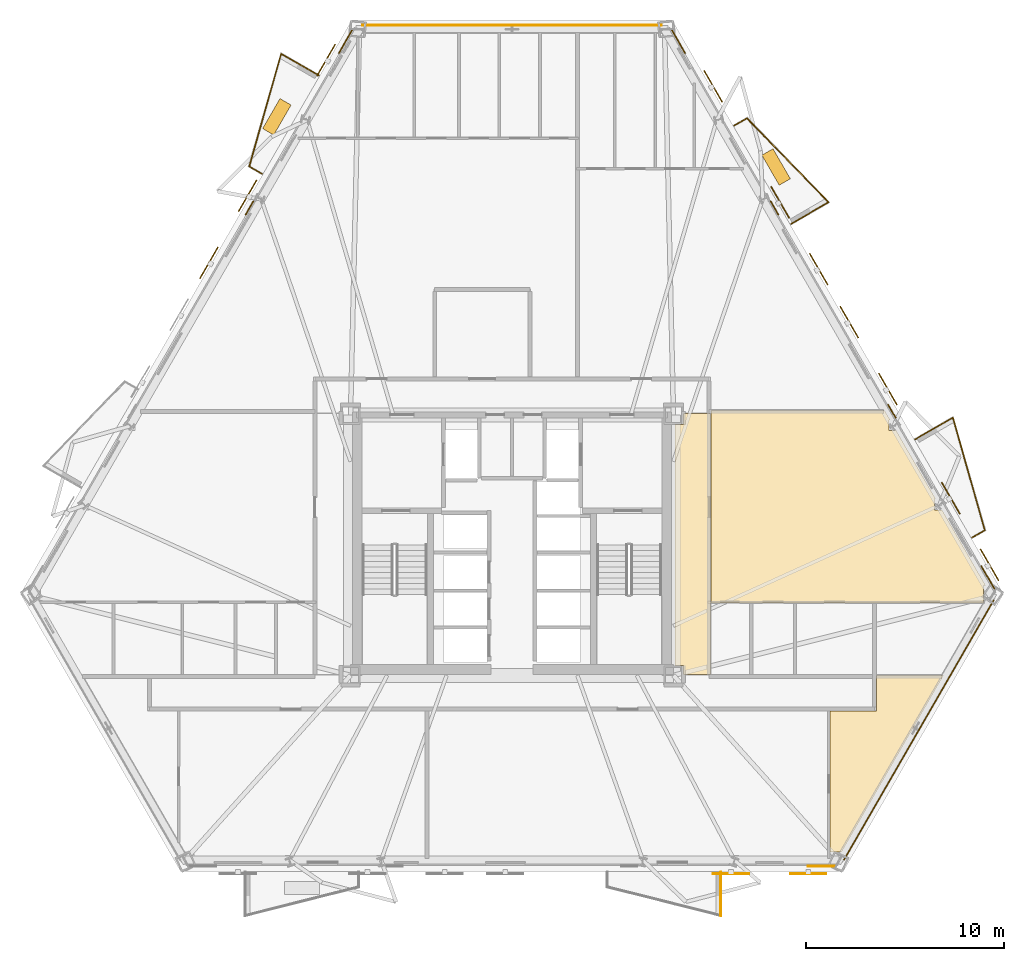
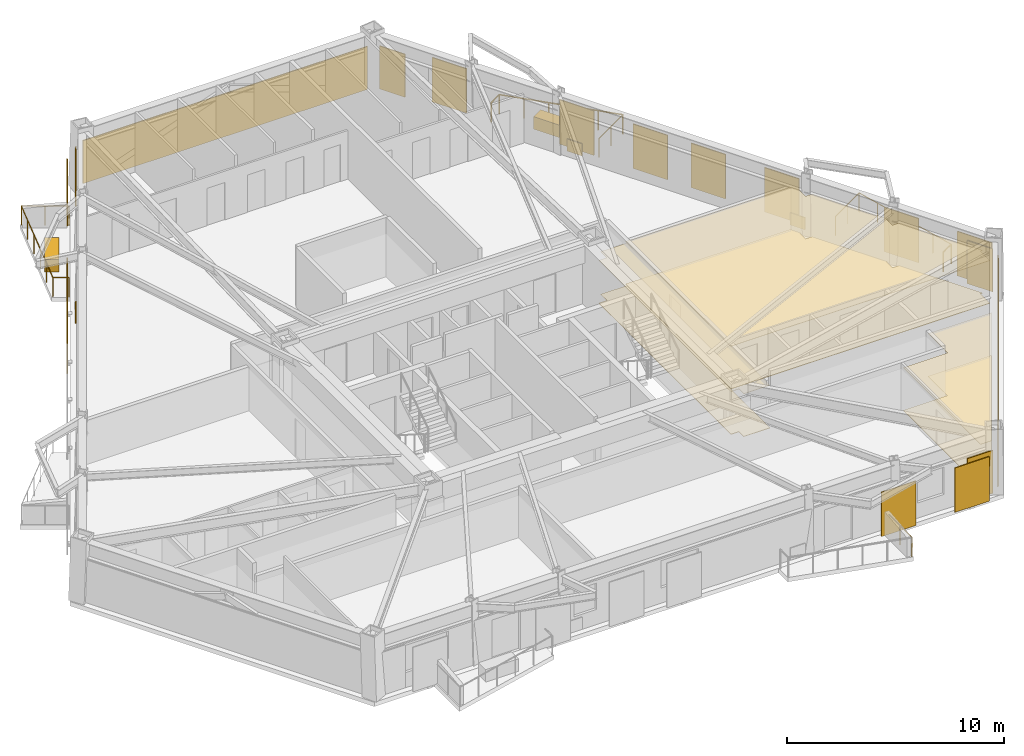
# One storey, part 12 of 12: 17 coverings, 12 shading devices, 10 railings.
"""IFC4 building model written with IfcOpenShell, lengths in metres."""

from ifc_helpers import new_model, si_unit, direction, frame, origin, origin_2d, place, context, subcontext, project, spatial, polyline, rectangle, circle, outline, extrude, material, layer, layer_set, type_object, element, save


model = new_model("IFC4")

# Units and contexts
model_context = context("Model", 3, precision=1e-05, world=origin(), true_north=direction((0.0, 1.0)))
body_context = subcontext(model_context, "Body", "Model", "MODEL_VIEW")
ifc_project = project(units=[si_unit("LENGTHUNIT", "METRE"), si_unit("AREAUNIT", "SQUARE_METRE"), si_unit("VOLUMEUNIT", "CUBIC_METRE"), si_unit("PLANEANGLEUNIT", "RADIAN"), si_unit("MASSUNIT", "GRAM", prefix="KILO")], contexts=[model_context])

# Site, building, storey
site_placement = place(None, origin())
site = spatial("IfcSite", under=ifc_project, at=site_placement, CompositionType="ELEMENT")
building_placement = place(site_placement, origin())
building = spatial("IfcBuilding", under=site, at=building_placement, Name="Oramaril Tower", CompositionType="ELEMENT")
storey_placement = place(building_placement, frame((0.0, 0.0, 34.5)))
storey = spatial("IfcBuildingStorey", under=building, at=storey_placement, Name="L08", CompositionType="ELEMENT", Elevation=34.5)

# Coverings
ifc_material_1 = material(Name="Mineral Fibre Acoustic Ceiling")
ifc_layer_1 = layer(ifc_material_1, 0.02001953125)
ifc_layer_set_1 = layer_set([ifc_layer_1], Name="CVT-CEIL")
covering_type_1 = type_object("IfcCoveringType", Name="CVT-CEIL", PredefinedType="CEILING", material=ifc_layer_set_1)
covering_1_placement = place(storey_placement, frame((0.0, 0.0, 2.39990234375)))
element("IfcCovering", 1, at=covering_1_placement, inside=storey, type_object=covering_type_1, Name="L08 Acoustic Suspended Ceiling 4", PredefinedType="CEILING", context=body_context, shape_type="SweptSolid", body=[
    extrude(outline(polyline([(47.530029296875, 11.050048828125), (46.14501953125, 11.050048828125), (46.14501953125, 11.4951171875), (45.719970703125, 11.4951171875), (45.719970703125, 23.655029296875), (46.14501953125, 23.655029296875), (46.14501953125, 24.219970703125), (47.530029296875, 24.219970703125), (47.530029296875, 11.050048828125)])), origin(), (0.0, 0.0, 1.0), 0.02001953125),
])
covering_2_placement = place(storey_placement, frame((0.0, 0.0, 2.39990234375)))
element("IfcCovering", 2, at=covering_2_placement, inside=storey, type_object=covering_type_1, Name="L08 Acoustic Suspended Ceiling 9", PredefinedType="CEILING", context=body_context, shape_type="SweptSolid", body=[
    extrude(outline(polyline([(59.27685546875, 10.991943359375), (54.139404296875, 2.09375), (53.545166015625, 2.09375), (53.545166015625, 9.199951171875), (55.8798828125, 9.199951171875), (55.882080078125, 9.2001953125), (55.8837890625, 9.200439453125), (55.8857421875, 9.200927734375), (55.8876953125, 9.201416015625), (55.889404296875, 9.202392578125), (55.89111328125, 9.203369140625), (55.892578125, 9.20458984375), (55.89404296875, 9.205810546875), (55.8955078125, 9.207275390625), (55.896484375, 9.208984375), (55.897705078125, 9.210693359375), (55.8984375, 9.21240234375), (55.899169921875, 9.214111328125), (55.899658203125, 9.216064453125), (55.89990234375, 9.218017578125), (55.89990234375, 9.219970703125), (55.89990234375, 10.991943359375), (59.27685546875, 10.991943359375)])), origin(), (0.0, 0.0, 1.0), 0.02001953125),
])
covering_3_placement = place(storey_placement, frame((0.0, 0.0, 2.39990234375)))
element("IfcCovering", 3, at=covering_3_placement, inside=storey, type_object=covering_type_1, Name="L08 Acoustic Suspended Ceiling 16", PredefinedType="CEILING", context=body_context, shape_type="SweptSolid", body=[
    extrude(outline(polyline([(56.577880859375, 23.8994140625), (56.522705078125, 23.8994140625), (56.522705078125, 23.3564453125), (56.891357421875, 23.3564453125), (58.8828125, 19.907470703125), (58.834228515625, 19.907470703125), (58.834228515625, 19.352783203125), (59.202880859375, 19.352783203125), (61.410888671875, 15.5283203125), (61.29296875, 15.5283203125), (61.29296875, 14.651611328125), (47.550048828125, 14.651611328125), (47.550048828125, 24.219970703125), (47.5498046875, 24.221923828125), (47.549560546875, 24.223876953125), (47.549072265625, 24.225830078125), (47.548583984375, 24.227783203125), (47.547607421875, 24.2294921875), (47.54736328125, 24.22998046875), (47.547607421875, 24.230712890625), (47.548583984375, 24.232421875), (47.549072265625, 24.234130859375), (47.549560546875, 24.236083984375), (47.5498046875, 24.238037109375), (47.550048828125, 24.239990234375), (47.550048828125, 24.362060546875), (56.310791015625, 24.362060546875), (56.577880859375, 23.8994140625)])), origin(), (0.0, 0.0, 1.0), 0.02001953125),
])
ifc_material_2 = material(Name="Warm Cream Limestone", Category="masonry")
ifc_layer_2 = layer(ifc_material_2, 0.050048828125)
ifc_layer_set_2 = layer_set([ifc_layer_2], Name="CVT-CLD")
covering_type_2 = type_object("IfcCoveringType", Name="CVT-CLD", PredefinedType="CLADDING", material=ifc_layer_set_2)
covering_4_placement = place(storey_placement, frame((53.11181640625, 1.377197265625, 0.0400390625), z_axis=(0.0, 0.0, 1.0), x_axis=(1.0, 0.0, 0.0)))
element("IfcCovering", 4, at=covering_4_placement, inside=storey, type_object=covering_type_2, Name="L08 Warm Cream Limestone Cladding", PredefinedType="CLADDING", context=body_context, shape_type="SweptSolid", body=[
    extrude(rectangle(XDim=1.35009765625, YDim=0.050048828125, at=origin_2d()), origin(), (0.0, 0.0, 1.0), 2.4140625),
])
covering_5_placement = place(storey_placement, frame((58.037109375, 8.242919921875, 0.0400390625), z_axis=(0.0, 0.0, 1.0), x_axis=(0.4999984885, 0.866026276448, 0.0)))
element("IfcCovering", 5, at=covering_5_placement, inside=storey, type_object=covering_type_2, Name="L08 Warm Cream Limestone Cladding", PredefinedType="CLADDING", context=body_context, shape_type="SweptSolid", body=[
    extrude(rectangle(XDim=15.13232421875, YDim=0.050048828125, at=origin_2d()), origin(), (0.0, 0.0, 1.0), 2.4140625),
])
for number, where, z_axis, x_axis, name in (
    (6, (61.520263671875, 15.94091796875, 0.0400390625), (0.0, 0.0, 1.0), (-0.5, 0.866025403784, 0.0), "L08 Warm Cream Limestone Cladding"),
    (7, (45.908203125, 42.981689453125, 0.0400390625), (0.0, 0.0, 1.0), (-0.5, 0.866025403784, 0.0), "L08 Warm Cream Limestone Cladding"),
):
    element("IfcCovering", number, at=place(storey_placement, frame(where, z_axis=z_axis, x_axis=x_axis)), inside=storey, type_object=covering_type_2, Name=name, PredefinedType="CLADDING", context=body_context, shape_type="SweptSolid", body=[
        extrude(rectangle(XDim=1.35009765625, YDim=0.050048828125, at=origin_2d()), origin(), (0.0, 0.0, 1.0), 2.4140625),
    ])
for number, where, z_axis, x_axis, name in (
    (8, (56.677490234375, 24.3291015625, 0.0400390625), (0.0, 0.0, 1.0), (-0.5, 0.866025403784, 0.0), "L08 Warm Cream Limestone Spandrel Cladding"),
    (9, (50.751220703125, 34.59375, 0.0400390625), (0.0, 0.0, 1.0), (-0.5, 0.866025403784, 0.0), "L08 Warm Cream Limestone Spandrel Cladding"),
):
    element("IfcCovering", number, at=place(storey_placement, frame(where, z_axis=z_axis, x_axis=x_axis)), inside=storey, type_object=covering_type_2, Name=name, PredefinedType="CLADDING", context=body_context, shape_type="SweptSolid", body=[
        extrude(rectangle(XDim=0.800048828125, YDim=0.050048828125, at=origin_2d()), origin(), (0.0, 0.0, 1.0), 0.679931640625),
    ])
covering_6_placement = place(storey_placement, frame((37.5, 43.814208984375, 0.0400390625), z_axis=(0.0, 0.0, 1.0), x_axis=(-1.0, 0.0, 0.0)))
element("IfcCovering", 10, at=covering_6_placement, inside=storey, type_object=covering_type_2, Name="L08 Warm Cream Limestone Cladding", PredefinedType="CLADDING", context=body_context, shape_type="SweptSolid", body=[
    extrude(rectangle(XDim=15.13232421875, YDim=0.050048828125, at=origin_2d()), origin(), (0.0, 0.0, 1.0), 2.4140625),
])
covering_7_placement = place(storey_placement, frame((29.091796875, 42.981689453125, 0.0400390625), z_axis=(0.0, 0.0, 1.0), x_axis=(-0.5, -0.866025403784, 0.0)))
element("IfcCovering", 11, at=covering_7_placement, inside=storey, type_object=covering_type_2, Name="L08 Warm Cream Limestone Cladding", PredefinedType="CLADDING", context=body_context, shape_type="SweptSolid", body=[
    extrude(rectangle(XDim=1.35009765625, YDim=0.050048828125, at=origin_2d()), origin(), (0.0, 0.0, 1.0), 2.4140625),
])
covering_8_placement = place(storey_placement, frame((24.248779296875, 34.59375, 0.0400390625), z_axis=(0.0, 0.0, 1.0), x_axis=(-0.5, -0.866025403784, 0.0)))
element("IfcCovering", 12, at=covering_8_placement, inside=storey, type_object=covering_type_2, Name="L08 Warm Cream Limestone Spandrel Cladding", PredefinedType="CLADDING", context=body_context, shape_type="SweptSolid", body=[
    extrude(rectangle(XDim=0.800048828125, YDim=0.050048828125, at=origin_2d()), origin(), (0.0, 0.0, 1.0), 0.679931640625),
])
for number, where, z_axis, x_axis, name in (
    (13, (50.831298828125, 36.662109375, 0.0), (0.0, 0.0, 1.0), (-0.5, 0.866025403784, 0.0), "L08 Structural Tree Planter Box L08-BAL-NE2"),
    (14, (25.631103515625, 39.195068359375, 0.0), (0.0, 0.0, 1.0), (-0.5, -0.866025403784, 0.0), "L08 Structural Tree Planter Box L08-BAL-NW1"),
):
    element("IfcCovering", number, at=place(storey_placement, frame(where, z_axis=z_axis, x_axis=x_axis)), inside=storey, type_object=covering_type_2, Name=name, PredefinedType="CLADDING", context=body_context, shape_type="SweptSolid", body=[
        extrude(rectangle(XDim=1.75, YDim=0.64990234375, at=origin_2d()), origin(), (0.0, 0.0, 1.0), 0.699951171875),
    ])
ifc_material_3 = material(Name="Honed Quartzite Stone Flooring", Category="masonry")
ifc_layer_3 = layer(ifc_material_3, 0.02490234375)
ifc_layer_set_3 = layer_set([ifc_layer_3], Name="CVT-FLR")
covering_type_3 = type_object("IfcCoveringType", Name="CVT-FLR", PredefinedType="FLOORING", material=ifc_layer_set_3)
covering_9_placement = place(storey_placement, origin())
element("IfcCovering", 15, at=covering_9_placement, inside=storey, type_object=covering_type_3, Name="L08 Honed Stone Floor Finish 4", PredefinedType="FLOORING", context=body_context, shape_type="SweptSolid", body=[
    extrude(outline(polyline([(47.530029296875, 11.050048828125), (46.14501953125, 11.050048828125), (46.14501953125, 11.4951171875), (45.719970703125, 11.4951171875), (45.719970703125, 23.655029296875), (46.14501953125, 23.655029296875), (46.14501953125, 24.219970703125), (47.530029296875, 24.219970703125), (47.530029296875, 11.050048828125)])), origin(), (0.0, 0.0, 1.0), 0.02490234375),
])
covering_10_placement = place(storey_placement, origin())
element("IfcCovering", 16, at=covering_10_placement, inside=storey, type_object=covering_type_3, Name="L08 Honed Stone Floor Finish 9", PredefinedType="FLOORING", context=body_context, shape_type="SweptSolid", body=[
    extrude(outline(polyline([(59.27685546875, 10.991943359375), (54.139404296875, 2.09375), (53.545166015625, 2.09375), (53.545166015625, 9.199951171875), (55.8798828125, 9.199951171875), (55.882080078125, 9.2001953125), (55.8837890625, 9.200439453125), (55.8857421875, 9.200927734375), (55.8876953125, 9.201416015625), (55.889404296875, 9.202392578125), (55.89111328125, 9.203369140625), (55.892578125, 9.20458984375), (55.89404296875, 9.205810546875), (55.8955078125, 9.207275390625), (55.896484375, 9.208984375), (55.897705078125, 9.210693359375), (55.8984375, 9.21240234375), (55.899169921875, 9.214111328125), (55.899658203125, 9.216064453125), (55.89990234375, 9.218017578125), (55.89990234375, 9.219970703125), (55.89990234375, 10.991943359375), (59.27685546875, 10.991943359375)])), origin(), (0.0, 0.0, 1.0), 0.02490234375),
])
covering_11_placement = place(storey_placement, origin())
element("IfcCovering", 17, at=covering_11_placement, inside=storey, type_object=covering_type_3, Name="L08 Honed Stone Floor Finish 16", PredefinedType="FLOORING", context=body_context, shape_type="SweptSolid", body=[
    extrude(outline(polyline([(56.577880859375, 23.8994140625), (56.522705078125, 23.8994140625), (56.522705078125, 23.3564453125), (56.891357421875, 23.3564453125), (58.8828125, 19.907470703125), (58.834228515625, 19.907470703125), (58.834228515625, 19.352783203125), (59.202880859375, 19.352783203125), (61.410888671875, 15.5283203125), (61.29296875, 15.5283203125), (61.29296875, 14.651611328125), (47.550048828125, 14.651611328125), (47.550048828125, 24.219970703125), (47.5498046875, 24.221923828125), (47.549560546875, 24.223876953125), (47.549072265625, 24.225830078125), (47.548583984375, 24.227783203125), (47.547607421875, 24.2294921875), (47.54736328125, 24.22998046875), (47.547607421875, 24.230712890625), (47.548583984375, 24.232421875), (47.549072265625, 24.234130859375), (47.549560546875, 24.236083984375), (47.5498046875, 24.238037109375), (47.550048828125, 24.239990234375), (47.550048828125, 24.362060546875), (56.310791015625, 24.362060546875), (56.577880859375, 23.8994140625)])), origin(), (0.0, 0.0, 1.0), 0.02490234375),
])

# Railings
ifc_material_4 = material(Name="Stainless Steel 316L", Category="steel")
railing_type = type_object("IfcRailingType", Name="RLT-GRD", PredefinedType="GUARDRAIL", material=ifc_material_4)
railing_1_placement = place(storey_placement, frame((48.04248046875, 1.062255859375, 0.0)))
element("IfcRailing", 18, at=railing_1_placement, inside=storey, type_object=railing_type, Name="L08 Balcony Guardrail L08-BAL-S2.1", PredefinedType="GUARDRAIL", context=body_context, shape_type="SweptSolid", body=[
    extrude(circle(Radius=0.02392578125, at=origin_2d()), frame((0.0, 0.0, 1.076171875), z_axis=(0.0, -1.0, 0.0), x_axis=(1.0, 0.0, 0.0)), (0.0, 0.0, 1.0), 2.19189453125),
    extrude(circle(Radius=0.02099609375, at=origin_2d()), origin(), (0.0, 0.0, 1.0), 1.052001953125),
    extrude(circle(Radius=0.02099609375, at=origin_2d()), frame((0.0, -1.095947265625, 0.0)), (0.0, 0.0, 1.0), 1.052001953125),
    extrude(circle(Radius=0.02099609375, at=origin_2d()), frame((0.0, -2.19189453125, 0.0)), (0.0, 0.0, 1.0), 1.052001953125),
])
railing_2_placement = place(storey_placement, frame((57.85595703125, 22.91796875, 0.0)))
element("IfcRailing", 19, at=railing_2_placement, inside=storey, type_object=railing_type, Name="L08 Balcony Guardrail L08-BAL-NE1.1", PredefinedType="GUARDRAIL", context=body_context, shape_type="SweptSolid", body=[
    extrude(circle(Radius=0.02392578125, at=origin_2d()), frame((0.0, 0.0, 1.076171875), z_axis=(0.866020500697, 0.5000084923, 0.0), x_axis=(-0.5000084923, 0.866020500697, 0.0)), (0.0, 0.0, 1.0), 2.19189453125),
    extrude(circle(Radius=0.02099609375, at=origin_2d()), origin(), (0.0, 0.0, 1.0), 1.052001953125),
    extrude(circle(Radius=0.02099609375, at=origin_2d()), frame((0.94921875, 0.5478515625, 0.0)), (0.0, 0.0, 1.0), 1.052001953125),
    extrude(circle(Radius=0.02099609375, at=origin_2d()), frame((1.898193359375, 1.095947265625, 0.0)), (0.0, 0.0, 1.0), 1.052001953125),
])
railing_3_placement = place(storey_placement, frame((59.754150390625, 24.013916015625, 0.0)))
element("IfcRailing", 20, at=railing_3_placement, inside=storey, type_object=railing_type, Name="L08 Balcony Guardrail L08-BAL-NE1.2", PredefinedType="GUARDRAIL", context=body_context, shape_type="SweptSolid", body=[
    extrude(circle(Radius=0.02392578125, at=origin_2d()), frame((0.0, 0.0, 1.076171875), z_axis=(0.27224886544, -0.962226873074, 0.0), x_axis=(0.962226873074, 0.27224886544, 0.0)), (0.0, 0.0, 1.0), 5.910400390625),
    extrude(circle(Radius=0.02099609375, at=origin_2d()), origin(), (0.0, 0.0, 1.0), 1.052001953125),
    extrude(circle(Radius=0.02099609375, at=origin_2d()), frame((0.32177734375, -1.137451171875, 0.0)), (0.0, 0.0, 1.0), 1.052001953125),
    extrude(circle(Radius=0.02099609375, at=origin_2d()), frame((0.6435546875, -2.27490234375, 0.0)), (0.0, 0.0, 1.0), 1.052001953125),
    extrude(circle(Radius=0.02099609375, at=origin_2d()), frame((0.965576171875, -3.412353515625, 0.0)), (0.0, 0.0, 1.0), 1.052001953125),
    extrude(circle(Radius=0.02099609375, at=origin_2d()), frame((1.287353515625, -4.5498046875, 0.0)), (0.0, 0.0, 1.0), 1.052001953125),
    extrude(circle(Radius=0.02099609375, at=origin_2d()), frame((1.609130859375, -5.687255859375, 0.0)), (0.0, 0.0, 1.0), 1.052001953125),
])
railing_4_placement = place(storey_placement, frame((61.36328125, 18.32666015625, 0.0)))
element("IfcRailing", 21, at=railing_4_placement, inside=storey, type_object=railing_type, Name="L08 Balcony Guardrail L08-BAL-NE1.3", PredefinedType="GUARDRAIL", context=body_context, shape_type="SweptSolid", body=[
    extrude(circle(Radius=0.02392578125, at=origin_2d()), frame((0.0, 0.0, 1.076171875), z_axis=(-0.866026623601, -0.49999788721, 0.0), x_axis=(0.49999788721, -0.866026623601, 0.0)), (0.0, 0.0, 1.0), 0.74169921875),
    extrude(circle(Radius=0.02099609375, at=origin_2d()), origin(), (0.0, 0.0, 1.0), 1.052001953125),
    extrude(circle(Radius=0.02099609375, at=origin_2d()), frame((-0.642333984375, -0.370849609375, 0.0)), (0.0, 0.0, 1.0), 1.052001953125),
])
railing_5_placement = place(storey_placement, frame((48.7158203125, 38.748779296875, 0.0)))
element("IfcRailing", 22, at=railing_5_placement, inside=storey, type_object=railing_type, Name="L08 Balcony Guardrail L08-BAL-NE2.1", PredefinedType="GUARDRAIL", context=body_context, shape_type="SweptSolid", body=[
    extrude(circle(Radius=0.02392578125, at=origin_2d()), frame((0.0, 0.0, 1.076171875), z_axis=(0.865966403178, 0.500102178127, 0.0), x_axis=(-0.500102178127, 0.865966403178, 0.0)), (0.0, 0.0, 1.0), 0.741943359375),
    extrude(circle(Radius=0.02099609375, at=origin_2d()), origin(), (0.0, 0.0, 1.0), 1.052001953125),
    extrude(circle(Radius=0.02099609375, at=origin_2d()), frame((0.642578125, 0.37109375, 0.0)), (0.0, 0.0, 1.0), 1.052001953125),
])
railing_6_placement = place(storey_placement, frame((49.3583984375, 39.119873046875, 0.0)))
element("IfcRailing", 23, at=railing_6_placement, inside=storey, type_object=railing_type, Name="L08 Balcony Guardrail L08-BAL-NE2.2", PredefinedType="GUARDRAIL", context=body_context, shape_type="SweptSolid", body=[
    extrude(circle(Radius=0.02392578125, at=origin_2d()), frame((0.0, 0.0, 1.076171875), z_axis=(0.697186915353, -0.716889395277, 0.0), x_axis=(0.716889395277, 0.697186915353, 0.0)), (0.0, 0.0, 1.0), 5.91064453125),
    extrude(circle(Radius=0.02099609375, at=origin_2d()), origin(), (0.0, 0.0, 1.0), 1.052001953125),
    extrude(circle(Radius=0.02099609375, at=origin_2d()), frame((0.82421875, -0.847412109375, 0.0)), (0.0, 0.0, 1.0), 1.052001953125),
    extrude(circle(Radius=0.02099609375, at=origin_2d()), frame((1.6484375, -1.69482421875, 0.0)), (0.0, 0.0, 1.0), 1.052001953125),
    extrude(circle(Radius=0.02099609375, at=origin_2d()), frame((2.472412109375, -2.54248046875, 0.0)), (0.0, 0.0, 1.0), 1.052001953125),
    extrude(circle(Radius=0.02099609375, at=origin_2d()), frame((3.296630859375, -3.389892578125, 0.0)), (0.0, 0.0, 1.0), 1.052001953125),
    extrude(circle(Radius=0.02099609375, at=origin_2d()), frame((4.120849609375, -4.2373046875, 0.0)), (0.0, 0.0, 1.0), 1.052001953125),
])
railing_7_placement = place(storey_placement, frame((53.479248046875, 34.882568359375, 0.0)))
element("IfcRailing", 24, at=railing_7_placement, inside=storey, type_object=railing_type, Name="L08 Balcony Guardrail L08-BAL-NE2.3", PredefinedType="GUARDRAIL", context=body_context, shape_type="SweptSolid", body=[
    extrude(circle(Radius=0.02392578125, at=origin_2d()), frame((0.0, 0.0, 1.076171875), z_axis=(-0.866048343933, -0.499960264392, 0.0), x_axis=(0.499960264392, -0.866048343933, 0.0)), (0.0, 0.0, 1.0), 2.192138671875),
    extrude(circle(Radius=0.02099609375, at=origin_2d()), origin(), (0.0, 0.0, 1.0), 1.052001953125),
    extrude(circle(Radius=0.02099609375, at=origin_2d()), frame((-0.94921875, -0.5478515625, 0.0)), (0.0, 0.0, 1.0), 1.052001953125),
    extrude(circle(Radius=0.02099609375, at=origin_2d()), frame((-1.8984375, -1.095947265625, 0.0)), (0.0, 0.0, 1.0), 1.052001953125),
])
railing_8_placement = place(storey_placement, frame((24.881591796875, 36.31982421875, 0.0)))
element("IfcRailing", 25, at=railing_8_placement, inside=storey, type_object=railing_type, Name="L08 Balcony Guardrail L08-BAL-NW1.1", PredefinedType="GUARDRAIL", context=body_context, shape_type="SweptSolid", body=[
    extrude(circle(Radius=0.02392578125, at=origin_2d()), frame((0.0, 0.0, 1.076171875), z_axis=(-0.865966403178, 0.500102178127, 0.0), x_axis=(-0.500102178127, -0.865966403178, 0.0)), (0.0, 0.0, 1.0), 0.741943359375),
    extrude(circle(Radius=0.02099609375, at=origin_2d()), origin(), (0.0, 0.0, 1.0), 1.052001953125),
    extrude(circle(Radius=0.02099609375, at=origin_2d()), frame((-0.642578125, 0.37109375, 0.0)), (0.0, 0.0, 1.0), 1.052001953125),
])
railing_9_placement = place(storey_placement, frame((24.239013671875, 36.69091796875, 0.0)))
element("IfcRailing", 26, at=railing_9_placement, inside=storey, type_object=railing_type, Name="L08 Balcony Guardrail L08-BAL-NW1.2", PredefinedType="GUARDRAIL", context=body_context, shape_type="SweptSolid", body=[
    extrude(circle(Radius=0.02392578125, at=origin_2d()), frame((0.0, 0.0, 1.076171875), z_axis=(0.272297931824, 0.962212989064, 0.0), x_axis=(-0.962212989064, 0.272297931824, 0.0)), (0.0, 0.0, 1.0), 5.910400390625),
    extrude(circle(Radius=0.02099609375, at=origin_2d()), origin(), (0.0, 0.0, 1.0), 1.052001953125),
    extrude(circle(Radius=0.02099609375, at=origin_2d()), frame((0.32177734375, 1.137451171875, 0.0)), (0.0, 0.0, 1.0), 1.052001953125),
    extrude(circle(Radius=0.02099609375, at=origin_2d()), frame((0.643798828125, 2.27490234375, 0.0)), (0.0, 0.0, 1.0), 1.052001953125),
    extrude(circle(Radius=0.02099609375, at=origin_2d()), frame((0.965576171875, 3.412109375, 0.0)), (0.0, 0.0, 1.0), 1.052001953125),
    extrude(circle(Radius=0.02099609375, at=origin_2d()), frame((1.28759765625, 4.549560546875, 0.0)), (0.0, 0.0, 1.0), 1.052001953125),
    extrude(circle(Radius=0.02099609375, at=origin_2d()), frame((1.609375, 5.68701171875, 0.0)), (0.0, 0.0, 1.0), 1.052001953125),
])
railing_10_placement = place(storey_placement, frame((25.848388671875, 42.3779296875, 0.0)))
element("IfcRailing", 27, at=railing_10_placement, inside=storey, type_object=railing_type, Name="L08 Balcony Guardrail L08-BAL-NW1.3", PredefinedType="GUARDRAIL", context=body_context, shape_type="SweptSolid", body=[
    extrude(circle(Radius=0.02392578125, at=origin_2d()), frame((0.0, 0.0, 1.076171875), z_axis=(0.866020500697, -0.5000084923, 0.0), x_axis=(0.5000084923, 0.866020500697, 0.0)), (0.0, 0.0, 1.0), 2.19189453125),
    extrude(circle(Radius=0.02099609375, at=origin_2d()), origin(), (0.0, 0.0, 1.0), 1.052001953125),
    extrude(circle(Radius=0.02099609375, at=origin_2d()), frame((0.94921875, -0.5478515625, 0.0)), (0.0, 0.0, 1.0), 1.052001953125),
    extrude(circle(Radius=0.02099609375, at=origin_2d()), frame((1.898193359375, -1.095947265625, 0.0)), (0.0, 0.0, 1.0), 1.052001953125),
])

# Shading devices
for number, where, z_axis, x_axis, name in (
    (28, (48.553955078125, 0.990234375, -0.02001953125), (0.0, 0.0, 1.0), (1.0, 0.0, 0.0), "L08 Perforated Ceramic Solar Screen"),
    (29, (52.453857421875, 0.990234375, -0.02001953125), (0.0, 0.0, 1.0), (1.0, 0.0, 0.0), "L08 Perforated Ceramic Solar Screen"),
    (30, (61.601806640625, 16.57373046875, -0.02001953125), (0.0, 0.0, 1.0), (-0.5, 0.866025403784, 0.0), "L08 Perforated Ceramic Solar Screen"),
    (31, (59.65185546875, 19.951416015625, -0.02001953125), (0.0, 0.0, 1.0), (-0.5, 0.866025403784, 0.0), "L08 Perforated Ceramic Solar Screen"),
    (32, (56.476318359375, 25.451416015625, -0.02001953125), (0.0, 0.0, 1.0), (-0.5, 0.866025403784, 0.0), "L08 Perforated Ceramic Solar Screen"),
    (33, (54.5263671875, 28.8291015625, -0.02001953125), (0.0, 0.0, 1.0), (-0.5, 0.866025403784, 0.0), "L08 Perforated Ceramic Solar Screen"),
    (34, (52.98291015625, 31.502197265625, -0.02001953125), (0.0, 0.0, 1.0), (-0.5, 0.866025403784, 0.0), "L08 Perforated Ceramic Solar Screen"),
    (35, (51.032958984375, 34.879638671875, -0.02001953125), (0.0, 0.0, 1.0), (-0.5, 0.866025403784, 0.0), "L08 Perforated Ceramic Solar Screen"),
    (36, (47.65234375, 40.73486328125, -0.02001953125), (0.0, 0.0, 1.0), (-0.5, 0.866025403784, 0.0), "L08 Perforated Ceramic Solar Screen"),
    (37, (24.155029296875, 35.205078125, -0.02001953125), (0.0, 0.0, 1.0), (-0.5, -0.866025403784, 0.0), "L08 Perforated Ceramic Solar Screen"),
    (38, (22.205078125, 31.82763671875, -0.02001953125), (0.0, 0.0, 1.0), (-0.5, -0.866025403784, 0.0), "L08 Perforated Ceramic Solar Screen"),
    (39, (28.112548828125, 42.059814453125, -0.02001953125), (0.0, 0.0, 1.0), (-0.5, -0.866025403784, 0.0), "L08 Perforated Ceramic Solar Screen"),
):
    element("IfcShadingDevice", number, at=place(storey_placement, frame(where, z_axis=z_axis, x_axis=x_axis)), inside=storey, Name=name, ObjectType="SCREEN", PredefinedType="USERDEFINED", context=body_context, shape_type="SweptSolid", body=[
        extrude(rectangle(XDim=1.8330078125, YDim=0.050048828125, at=origin_2d()), origin(), (0.0, 0.0, 1.0), 2.493896484375),
    ])

save(model, "model.ifc")
